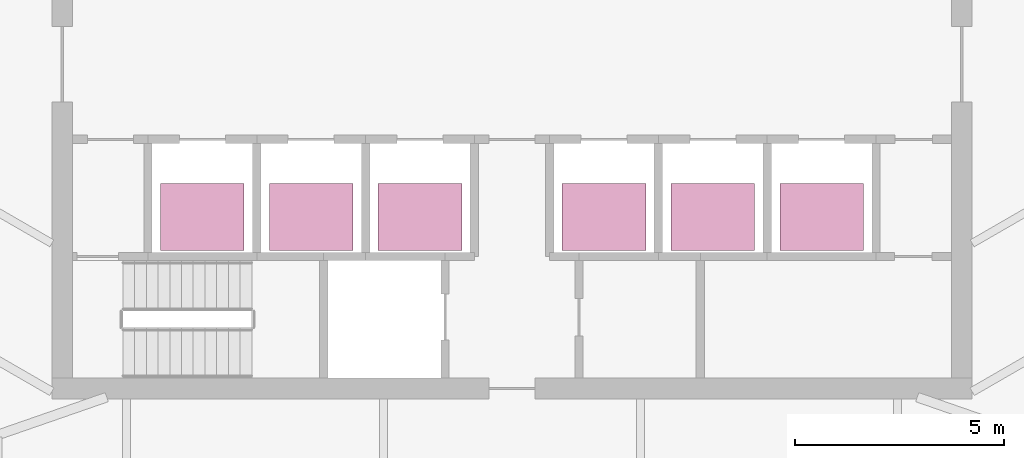
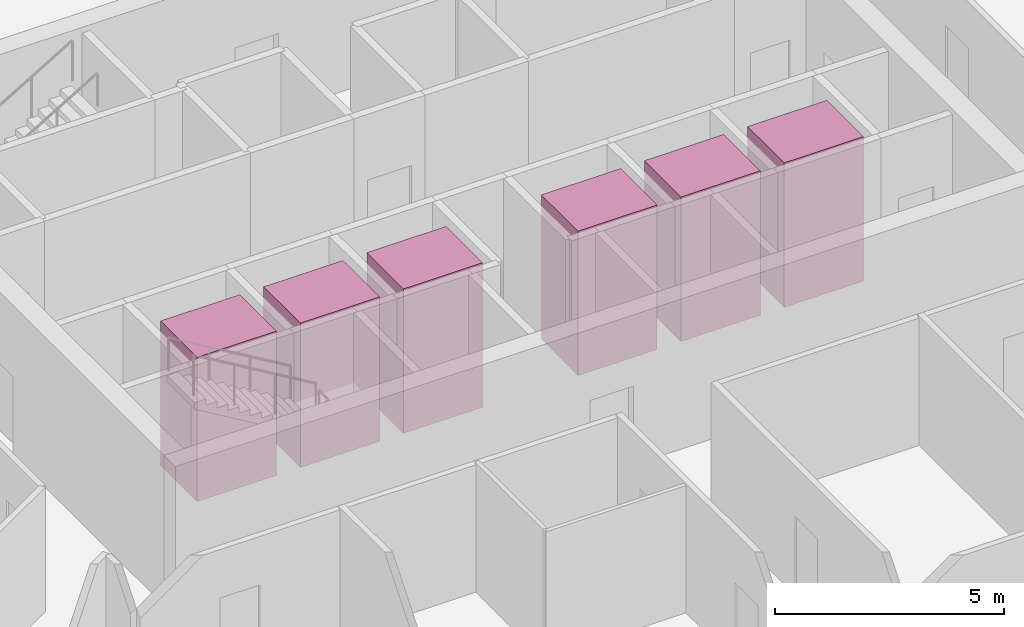
# One storey, part 15 of 15: 6 transport elements.
"""IFC4 building model written with IfcOpenShell, lengths in metres."""

from ifc_helpers import new_model, si_unit, direction, frame, origin, origin_2d, place, context, subcontext, project, spatial, rectangle, extrude, material, type_object, element, save


model = new_model("IFC4")

# Units and contexts
model_context = context("Model", 3, precision=1e-05, world=origin(), true_north=direction((0.0, 1.0)))
body_context = subcontext(model_context, "Body", "Model", "MODEL_VIEW")
ifc_project = project(units=[si_unit("LENGTHUNIT", "METRE"), si_unit("AREAUNIT", "SQUARE_METRE"), si_unit("VOLUMEUNIT", "CUBIC_METRE"), si_unit("PLANEANGLEUNIT", "RADIAN"), si_unit("MASSUNIT", "GRAM", prefix="KILO")], contexts=[model_context])

# Site, building, storey
site_placement = place(None, origin())
site = spatial("IfcSite", under=ifc_project, at=site_placement, CompositionType="ELEMENT")
building_placement = place(site_placement, origin())
building = spatial("IfcBuilding", under=site, at=building_placement, Name="Sierra Prisma Convention Tower", CompositionType="ELEMENT")
storey_placement = place(building_placement, frame((0.0, 0.0, 315.0)))
storey = spatial("IfcBuildingStorey", under=building, at=storey_placement, Name="L72", CompositionType="ELEMENT", Elevation=315.0)

# Transport elements
ifc_material = material(Name="Stainless steel", Category="steel")
transport_element_type = type_object("IfcTransportElementType", Name="Lift car office high 2000x1600 1600 kg", PredefinedType="ELEVATOR", material=ifc_material)
for number, where, z_axis, x_axis, name in (
    (1, (-7.39990234375, -3.64990234375, 0.0), (0.0, 0.0, 1.0), (1.0, 0.0, 0.0), "Lift OH1"),
    (2, (-4.800048828125, -3.64990234375, 0.0), (0.0, 0.0, 1.0), (1.0, 0.0, 0.0), "Lift OH2"),
    (3, (-2.199951171875, -3.64990234375, 0.0), (0.0, 0.0, 1.0), (1.0, 0.0, 0.0), "Lift OH3"),
    (4, (2.199951171875, -3.64990234375, 0.0), (0.0, 0.0, 1.0), (1.0, 0.0, 0.0), "Lift OH4"),
    (5, (4.800048828125, -3.64990234375, 0.0), (0.0, 0.0, 1.0), (1.0, 0.0, 0.0), "Lift OH5"),
    (6, (7.39990234375, -3.64990234375, 0.0), (0.0, 0.0, 1.0), (1.0, 0.0, 0.0), "Lift OH6"),
):
    element("IfcTransportElement", number, at=place(storey_placement, frame(where, z_axis=z_axis, x_axis=x_axis)), inside=storey, type_object=transport_element_type, Name=name, PredefinedType="ELEVATOR", context=body_context, shape_type="SweptSolid", body=[
        extrude(rectangle(XDim=2.0, YDim=1.60009765625, at=origin_2d()), origin(), (0.0, 0.0, 1.0), 3.85009765625),
    ])

save(model, "model.ifc")
